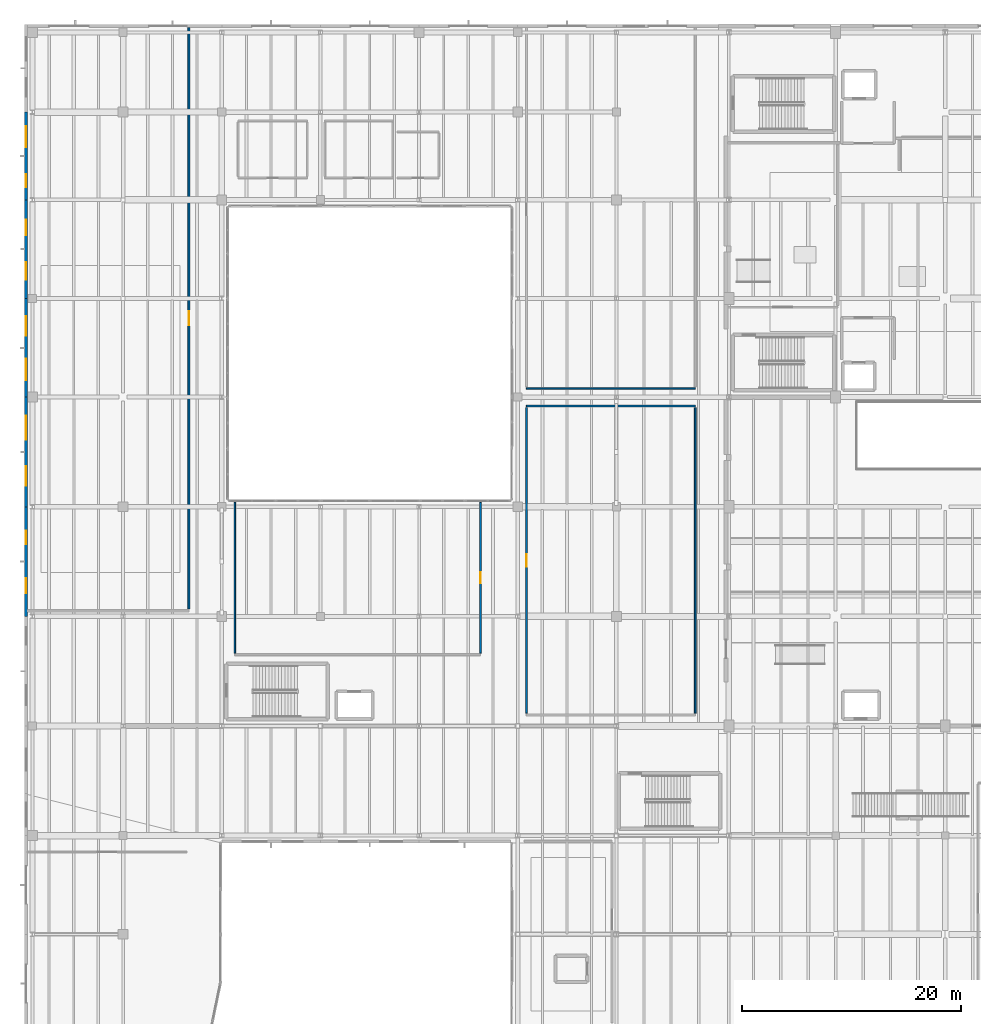
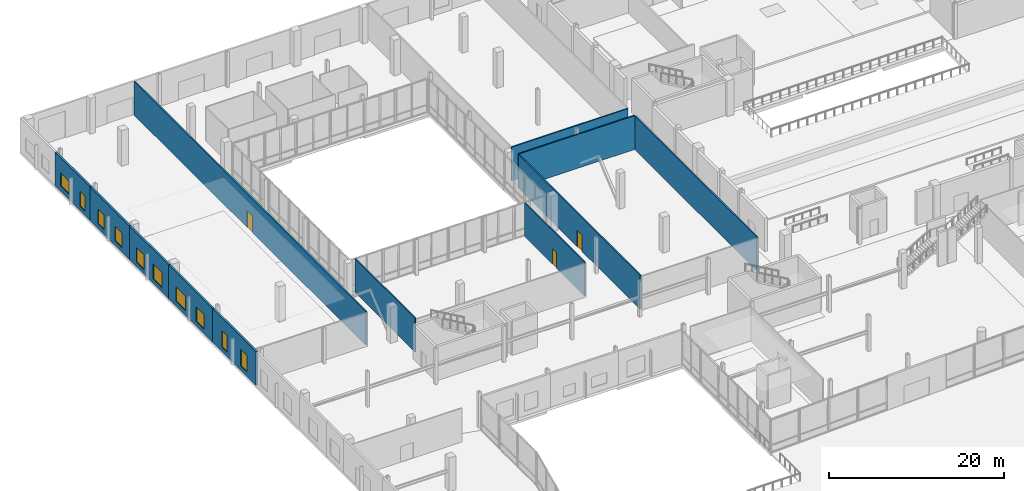
# One storey, part 70 of 88: 12 walls, 10 windows, 3 doors, 13 openings.
"""IFC4 building model written with IfcOpenShell, lengths in metres."""

from ifc_helpers import new_model, si_unit, direction, frame, frame_2d, origin, place, context, subcontext, project, spatial, rectangle, extrude, material, layer, layer_set, type_object, element, fill, save


model = new_model("IFC4")

# Units and contexts
model_context = context("Model", 3, precision=1e-05, world=origin(), true_north=direction((0.0, 1.0)))
body_context = subcontext(model_context, "Body", "Model", "MODEL_VIEW")
ifc_project = project(units=[si_unit("LENGTHUNIT", "METRE"), si_unit("AREAUNIT", "SQUARE_METRE"), si_unit("VOLUMEUNIT", "CUBIC_METRE"), si_unit("PLANEANGLEUNIT", "RADIAN"), si_unit("MASSUNIT", "GRAM", prefix="KILO")], contexts=[model_context])

# Site, building, storey
site_placement = place(None, origin())
site = spatial("IfcSite", under=ifc_project, at=site_placement, CompositionType="ELEMENT")
building_placement = place(site_placement, origin())
building = spatial("IfcBuilding", under=site, at=building_placement, Name="Trimount Lyric Opera House", CompositionType="ELEMENT")
storey_placement = place(building_placement, origin())
storey = spatial("IfcBuildingStorey", under=building, at=storey_placement, Name="L00", CompositionType="ELEMENT", Elevation=0.0)

# Wall
ifc_material_1 = material(Name="Fire-Rated Gypsum Board Partition")
ifc_layer_1 = layer(ifc_material_1, 0.14990234375)
ifc_layer_set_1 = layer_set([ifc_layer_1], Name="WL-PT150")
wall_type_1 = type_object("IfcWallType", Name="WL-PT150", PredefinedType="PARTITIONING", material=ifc_layer_set_1)
wall_1_placement = place(storey_placement, frame((19.199951171875, 74.39990234375, 0.0), z_axis=(0.0, 0.0, 1.0), x_axis=(0.0, -1.0, 0.0)))
element("IfcWall", 1, at=wall_1_placement, inside=storey, type_object=wall_type_1, Name="L00 Principal Soloist Dressing Suites W partition", PredefinedType="PARTITIONING", context=body_context, shape_type="SweptSolid", body=[
    extrude(rectangle(XDim=13.75, YDim=0.14990234375, at=frame_2d((6.875, 0.0))), origin(), (0.0, 0.0, 1.0), 4.719970703125),
])

# Wall, opening, door
wall_2_placement = place(storey_placement, frame((41.60009765625, 60.64990234375, 0.0), z_axis=(0.0, 0.0, 1.0), x_axis=(0.0, 1.0, 0.0)))
wall_2 = element("IfcWall", 2, at=wall_2_placement, inside=storey, type_object=wall_type_1, Name="L00 Principal Soloist Dressing Suites E partition", PredefinedType="PARTITIONING", context=body_context, shape_type="SweptSolid", body=[
    extrude(rectangle(XDim=13.75, YDim=0.14990234375, at=frame_2d((6.875, 0.0))), origin(), (0.0, 0.0, 1.0), 4.719970703125),
])
opening_1_placement = place(wall_2_placement, frame((6.375, 0.0, 0.0)))
opening_1 = element("IfcOpeningElement", 3, at=opening_1_placement, cuts=wall_2, Name="Opening DT-RM1", PredefinedType="OPENING", context=body_context, shape_type="SweptSolid", body=[
    extrude(rectangle(XDim=1.0, YDim=2.14990234375, at=frame_2d((0.5, 1.074951171875))), frame((0.0, 0.0849609375, 0.0), z_axis=(0.0, -1.0, 0.0), x_axis=(1.0, 0.0, 0.0)), (0.0, 0.0, 1.0), 0.169921875),
])
ifc_material_2 = material(Name="Solid Core White Oak")
door_type_1 = type_object("IfcDoorType", Name="DT-RM1", OperationType="NOTDEFINED", PredefinedType="DOOR", material=ifc_material_2)
door_1_placement = place(opening_1_placement, origin())
door_1 = element("IfcDoor", 4, at=door_1_placement, inside=storey, type_object=door_type_1, Name="D-184", OperationType="SINGLE_SWING_RIGHT", OverallHeight=2.14990234375, OverallWidth=1.0, PredefinedType="DOOR", context=body_context, shape_type="SweptSolid", body=[
    extrude(rectangle(XDim=1.0, YDim=2.14990234375, at=frame_2d((0.5, 1.074951171875))), frame((0.0, 0.02490234375, 0.0), z_axis=(0.0, -1.0, 0.0), x_axis=(1.0, 0.0, 0.0)), (0.0, 0.0, 1.0), 0.050048828125),
])
fill(opening_1, door_1)

# Walls
wall_3_placement = place(storey_placement, frame((45.800048828125, 84.800048828125, 0.0), z_axis=(0.0, 0.0, 1.0), x_axis=(1.0, 0.0, 0.0)))
element("IfcWall", 5, at=wall_3_placement, inside=storey, type_object=wall_type_1, Name="L00 Artists' Green Room & Warm-Up S partition", PredefinedType="PARTITIONING", context=body_context, shape_type="SweptSolid", body=[
    extrude(rectangle(XDim=15.39990234375, YDim=0.14990234375, at=frame_2d((7.699951171875, 0.0))), origin(), (0.0, 0.0, 1.0), 4.719970703125),
])
ifc_material_3 = material(Name="Acoustic Double-Stud Gypsum Board")
ifc_layer_2 = layer(ifc_material_3, 0.1650390625)
ifc_layer_set_2 = layer_set([ifc_layer_2], Name="WL-PT165")
wall_type_2 = type_object("IfcWallType", Name="WL-PT165", PredefinedType="PARTITIONING", material=ifc_layer_set_2)
wall_4_placement = place(storey_placement, frame((61.199951171875, 83.199951171875, 0.0), z_axis=(0.0, 0.0, 1.0), x_axis=(-1.0, 0.0, 0.0)))
element("IfcWall", 6, at=wall_4_placement, inside=storey, type_object=wall_type_2, Name="L00 Operetta & Ensemble Rehearsal Room N partition", PredefinedType="PARTITIONING", context=body_context, shape_type="SweptSolid", body=[
    extrude(rectangle(XDim=15.39990234375, YDim=0.1650390625, at=frame_2d((7.699951171875, 0.0))), origin(), (0.0, 0.0, 1.0), 4.719970703125),
])

# Wall, opening, door
wall_5_placement = place(storey_placement, frame((45.800048828125, 83.034912109375, 0.0), z_axis=(0.0, 0.0, 1.0), x_axis=(0.0, -1.0, 0.0)))
wall_5 = element("IfcWall", 7, at=wall_5_placement, inside=storey, type_object=wall_type_2, Name="L00 Operetta & Ensemble Rehearsal Room W partition", PredefinedType="PARTITIONING", context=body_context, shape_type="SweptSolid", body=[
    extrude(rectangle(XDim=27.869873046875, YDim=0.1650390625, at=frame_2d((13.93505859375, 0.0))), origin(), (0.0, 0.0, 1.0), 4.719970703125),
])
opening_2_placement = place(wall_5_placement, frame((13.375, 0.0, 0.0)))
opening_2 = element("IfcOpeningElement", 8, at=opening_2_placement, cuts=wall_5, Name="Opening DT-AC2", PredefinedType="OPENING", context=body_context, shape_type="SweptSolid", body=[
    extrude(rectangle(XDim=1.1201171875, YDim=2.25, at=frame_2d((0.56005859375, 1.125))), frame((0.0, 0.092529296875, 0.0), z_axis=(0.0, -1.0, 0.0), x_axis=(1.0, 0.0, 0.0)), (0.0, 0.0, 1.0), 0.18505859375),
])
ifc_material_4 = material(Name="Acoustic Steel-Core Timber", Category="steel")
door_type_2 = type_object("IfcDoorType", Name="DT-AC2", OperationType="NOTDEFINED", PredefinedType="DOOR", material=ifc_material_4)
door_2_placement = place(opening_2_placement, origin())
door_2 = element("IfcDoor", 9, at=door_2_placement, inside=storey, type_object=door_type_2, Name="D-185", OperationType="SINGLE_SWING_LEFT", OverallHeight=2.25, OverallWidth=1.1201171875, PredefinedType="DOOR", context=body_context, shape_type="SweptSolid", body=[
    extrude(rectangle(XDim=1.1201171875, YDim=2.25, at=frame_2d((0.56005859375, 1.125))), frame((0.0, 0.02490234375, 0.0), z_axis=(0.0, -1.0, 0.0), x_axis=(1.0, 0.0, 0.0)), (0.0, 0.0, 1.0), 0.050048828125),
])
fill(opening_2, door_2)

# Wall
wall_6_placement = place(storey_placement, frame((61.199951171875, 55.1650390625, 0.0), z_axis=(0.0, 0.0, 1.0), x_axis=(0.0, 1.0, 0.0)))
element("IfcWall", 10, at=wall_6_placement, inside=storey, type_object=wall_type_2, Name="L00 Operetta & Ensemble Rehearsal Room E partition", PredefinedType="PARTITIONING", context=body_context, shape_type="SweptSolid", body=[
    extrude(rectangle(XDim=27.869873046875, YDim=0.1650390625, at=frame_2d((13.93505859375, 0.0))), origin(), (0.0, 0.0, 1.0), 4.719970703125),
])

# Wall, opening, door
ifc_material_5 = material(Name="Acoustic Double-Stud Gypsum Board")
ifc_layer_3 = layer(ifc_material_5, 0.179931640625)
ifc_layer_set_3 = layer_set([ifc_layer_3], Name="WL-PT180")
wall_type_3 = type_object("IfcWallType", Name="WL-PT180", PredefinedType="PARTITIONING", material=ifc_layer_set_3)
wall_7_placement = place(storey_placement, frame((15.0, 64.679931640625, 0.0), z_axis=(0.0, 0.0, 1.0), x_axis=(0.0, 1.0, 0.0)))
wall_7 = element("IfcWall", 11, at=wall_7_placement, inside=storey, type_object=wall_type_3, Name="L00 Orchestra Rehearsal Hall E partition", PredefinedType="PARTITIONING", context=body_context, shape_type="SweptSolid", body=[
    extrude(rectangle(XDim=53.0400390625, YDim=0.179931640625, at=frame_2d((26.52001953125, 0.0))), origin(), (0.0, 0.0, 1.0), 4.719970703125),
])
opening_3_placement = place(wall_7_placement, frame((25.8701171875, 0.0, 0.0)))
opening_3 = element("IfcOpeningElement", 12, at=opening_3_placement, cuts=wall_7, Name="Opening DT-AC1", PredefinedType="OPENING", context=body_context, shape_type="SweptSolid", body=[
    extrude(rectangle(XDim=1.300048828125, YDim=2.35009765625, at=frame_2d((0.64990234375, 1.175048828125))), frame((0.0, 0.10009765625, 0.0), z_axis=(0.0, -1.0, 0.0), x_axis=(1.0, 0.0, 0.0)), (0.0, 0.0, 1.0), 0.199951171875),
])
ifc_material_6 = material(Name="Acoustic Steel-Core Timber", Category="steel")
door_type_3 = type_object("IfcDoorType", Name="DT-AC1", OperationType="NOTDEFINED", PredefinedType="DOOR", material=ifc_material_6)
door_3_placement = place(opening_3_placement, origin())
door_3 = element("IfcDoor", 13, at=door_3_placement, inside=storey, type_object=door_type_3, Name="D-183", OperationType="SINGLE_SWING_LEFT", OverallHeight=2.35009765625, OverallWidth=1.300048828125, PredefinedType="DOOR", context=body_context, shape_type="SweptSolid", body=[
    extrude(rectangle(XDim=1.300048828125, YDim=2.35009765625, at=frame_2d((0.64990234375, 1.175048828125))), frame((0.0, 0.02490234375, 0.0), z_axis=(0.0, -1.0, 0.0), x_axis=(1.0, 0.0, 0.0)), (0.0, 0.0, 1.0), 0.050048828125),
])
fill(opening_3, door_3)

# Wall, openings, windows
ifc_material_7 = material(Name="Concrete C35/45", Category="concrete")
ifc_layer_4 = layer(ifc_material_7, 0.25)
ifc_layer_set_4 = layer_set([ifc_layer_4], Name="WL-SW250")
wall_type_4 = type_object("IfcWallType", Name="WL-SW250", PredefinedType="SOLIDWALL", material=ifc_layer_set_4)
wall_8_placement = place(storey_placement, frame((0.139892578125, 64.0, 0.0), z_axis=(0.0, 0.0, 1.0), x_axis=(0.0, 1.0, 0.0)))
wall_8 = element("IfcWall", 14, at=wall_8_placement, inside=storey, type_object=wall_type_4, Name="L00 exterior facade wall 100", PredefinedType="SOLIDWALL", context=body_context, shape_type="SweptSolid", body=[
    extrude(rectangle(XDim=10.0, YDim=0.25, at=frame_2d((5.0, 0.0))), origin(), (0.0, 0.0, 1.0), 4.719970703125),
])
opening_4_placement = place(wall_8_placement, frame((2.10009765625, 0.0, 0.64990234375)))
opening_4 = element("IfcOpeningElement", 15, at=opening_4_placement, cuts=wall_8, Name="Opening WT-06", PredefinedType="OPENING", context=body_context, shape_type="SweptSolid", body=[
    extrude(rectangle(XDim=1.39990234375, YDim=2.300048828125, at=frame_2d((0.699951171875, 1.14990234375))), frame((0.0, 0.135009765625, 0.0), z_axis=(0.0, -1.0, 0.0), x_axis=(1.0, 0.0, 0.0)), (0.0, 0.0, 1.0), 0.27001953125),
])
opening_5_placement = place(wall_8_placement, frame((6.60009765625, 0.0, 0.64990234375)))
opening_5 = element("IfcOpeningElement", 16, at=opening_5_placement, cuts=wall_8, Name="Opening WT-07", PredefinedType="OPENING", context=body_context, shape_type="SweptSolid", body=[
    extrude(rectangle(XDim=1.199951171875, YDim=2.300048828125, at=frame_2d((0.60009765625, 1.14990234375))), frame((0.0, 0.135009765625, 0.0), z_axis=(0.0, -1.0, 0.0), x_axis=(1.0, 0.0, 0.0)), (0.0, 0.0, 1.0), 0.27001953125),
])
ifc_material_8 = material(Name="Triple Acoustic Glazing in Aluminium Frame", Category="aluminium")
window_type_1 = type_object("IfcWindowType", Name="WT-06", PartitioningType="SINGLE_PANEL", PredefinedType="WINDOW", material=ifc_material_8)
window_1_placement = place(opening_4_placement, origin())
window_1 = element("IfcWindow", 17, at=window_1_placement, inside=storey, type_object=window_type_1, Name="Window WT-06-0006", OverallHeight=2.300048828125, OverallWidth=1.39990234375, PartitioningType="SINGLE_PANEL", PredefinedType="WINDOW", context=body_context, shape_type="SweptSolid", body=[
    extrude(rectangle(XDim=1.39990234375, YDim=2.300048828125, at=frame_2d((0.699951171875, 1.14990234375))), frame((0.0, 0.030029296875, 0.0), z_axis=(0.0, -1.0, 0.0), x_axis=(1.0, 0.0, 0.0)), (0.0, 0.0, 1.0), 0.06005859375),
])
fill(opening_4, window_1)
ifc_material_9 = material(Name="Triple Acoustic Glazing in Aluminium Frame", Category="aluminium")
window_type_2 = type_object("IfcWindowType", Name="WT-07", PartitioningType="SINGLE_PANEL", PredefinedType="WINDOW", material=ifc_material_9)
window_2_placement = place(opening_5_placement, origin())
window_2 = element("IfcWindow", 18, at=window_2_placement, inside=storey, type_object=window_type_2, Name="Window WT-07-0007", OverallHeight=2.300048828125, OverallWidth=1.199951171875, PartitioningType="SINGLE_PANEL", PredefinedType="WINDOW", context=body_context, shape_type="SweptSolid", body=[
    extrude(rectangle(XDim=1.199951171875, YDim=2.300048828125, at=frame_2d((0.60009765625, 1.14990234375))), frame((0.0, 0.030029296875, 0.0), z_axis=(0.0, -1.0, 0.0), x_axis=(1.0, 0.0, 0.0)), (0.0, 0.0, 1.0), 0.06005859375),
])
fill(opening_5, window_2)

wall_9_placement = place(storey_placement, frame((0.139892578125, 74.0, 0.0), z_axis=(0.0, 0.0, 1.0), x_axis=(0.0, 1.0, 0.0)))
wall_9 = element("IfcWall", 19, at=wall_9_placement, inside=storey, type_object=wall_type_4, Name="L00 exterior facade wall 101", PredefinedType="SOLIDWALL", context=body_context, shape_type="SweptSolid", body=[
    extrude(rectangle(XDim=10.0, YDim=0.25, at=frame_2d((5.0, 0.0))), origin(), (0.0, 0.0, 1.0), 4.719970703125),
])
opening_6_placement = place(wall_9_placement, frame((1.89990234375, 0.0, 0.64990234375)))
opening_6 = element("IfcOpeningElement", 20, at=opening_6_placement, cuts=wall_9, Name="Opening WT-11", PredefinedType="OPENING", context=body_context, shape_type="SweptSolid", body=[
    extrude(rectangle(XDim=1.800048828125, YDim=2.050048828125, at=frame_2d((0.89990234375, 1.02490234375))), frame((0.0, 0.135009765625, 0.0), z_axis=(0.0, -1.0, 0.0), x_axis=(1.0, 0.0, 0.0)), (0.0, 0.0, 1.0), 0.27001953125),
])
opening_7_placement = place(wall_9_placement, frame((6.10009765625, 0.0, 0.64990234375)))
opening_7 = element("IfcOpeningElement", 21, at=opening_7_placement, cuts=wall_9, Name="Opening WT-09", PredefinedType="OPENING", context=body_context, shape_type="SweptSolid", body=[
    extrude(rectangle(XDim=2.199951171875, YDim=2.050048828125, at=frame_2d((1.10009765625, 1.02490234375))), frame((0.0, 0.135009765625, 0.0), z_axis=(0.0, -1.0, 0.0), x_axis=(1.0, 0.0, 0.0)), (0.0, 0.0, 1.0), 0.27001953125),
])
ifc_material_10 = material(Name="Low-E Insulated Glazing in Bronze Frame", Category="glass")
window_type_3 = type_object("IfcWindowType", Name="WT-09", PartitioningType="DOUBLE_PANEL_VERTICAL", PredefinedType="WINDOW", material=ifc_material_10)
window_3_placement = place(opening_7_placement, origin())
window_3 = element("IfcWindow", 22, at=window_3_placement, inside=storey, type_object=window_type_3, Name="Window WT-09-0009", OverallHeight=2.050048828125, OverallWidth=2.199951171875, PartitioningType="SINGLE_PANEL", PredefinedType="WINDOW", context=body_context, shape_type="SweptSolid", body=[
    extrude(rectangle(XDim=2.199951171875, YDim=2.050048828125, at=frame_2d((1.10009765625, 1.02490234375))), frame((0.0, 0.030029296875, 0.0), z_axis=(0.0, -1.0, 0.0), x_axis=(1.0, 0.0, 0.0)), (0.0, 0.0, 1.0), 0.06005859375),
])
fill(opening_7, window_3)
ifc_material_11 = material(Name="Low-E Insulated Glazing in Bronze Frame", Category="glass")
window_type_4 = type_object("IfcWindowType", Name="WT-11", PartitioningType="DOUBLE_PANEL_VERTICAL", PredefinedType="WINDOW", material=ifc_material_11)
window_4_placement = place(opening_6_placement, origin())
window_4 = element("IfcWindow", 23, at=window_4_placement, inside=storey, type_object=window_type_4, Name="Window WT-11-0008", OverallHeight=2.050048828125, OverallWidth=1.800048828125, PartitioningType="SINGLE_PANEL", PredefinedType="WINDOW", context=body_context, shape_type="SweptSolid", body=[
    extrude(rectangle(XDim=1.800048828125, YDim=2.050048828125, at=frame_2d((0.89990234375, 1.02490234375))), frame((0.0, 0.030029296875, 0.0), z_axis=(0.0, -1.0, 0.0), x_axis=(1.0, 0.0, 0.0)), (0.0, 0.0, 1.0), 0.06005859375),
])
fill(opening_6, window_4)

wall_10_placement = place(storey_placement, frame((0.139892578125, 84.0, 0.0), z_axis=(0.0, 0.0, 1.0), x_axis=(0.0, 1.0, 0.0)))
wall_10 = element("IfcWall", 24, at=wall_10_placement, inside=storey, type_object=wall_type_4, Name="L00 exterior facade wall 102", PredefinedType="SOLIDWALL", context=body_context, shape_type="SweptSolid", body=[
    extrude(rectangle(XDim=9.0, YDim=0.25, at=frame_2d((4.5, 0.0))), origin(), (0.0, 0.0, 1.0), 4.719970703125),
])
opening_8_placement = place(wall_10_placement, frame((1.52001953125, 0.0, 0.64990234375)))
opening_8 = element("IfcOpeningElement", 25, at=opening_8_placement, cuts=wall_10, Name="Opening WT-10", PredefinedType="OPENING", context=body_context, shape_type="SweptSolid", body=[
    extrude(rectangle(XDim=2.0, YDim=2.050048828125, at=frame_2d((1.0, 1.02490234375))), frame((0.0, 0.135009765625, 0.0), z_axis=(0.0, -1.0, 0.0), x_axis=(1.0, 0.0, 0.0)), (0.0, 0.0, 1.0), 0.27001953125),
])
opening_9_placement = place(wall_10_placement, frame((5.580078125, 0.0, 0.64990234375)))
opening_9 = element("IfcOpeningElement", 26, at=opening_9_placement, cuts=wall_10, Name="Opening WT-11", PredefinedType="OPENING", context=body_context, shape_type="SweptSolid", body=[
    extrude(rectangle(XDim=1.800048828125, YDim=2.050048828125, at=frame_2d((0.89990234375, 1.02490234375))), frame((0.0, 0.135009765625, 0.0), z_axis=(0.0, -1.0, 0.0), x_axis=(1.0, 0.0, 0.0)), (0.0, 0.0, 1.0), 0.27001953125),
])
ifc_material_12 = material(Name="Low-E Insulated Glazing in Bronze Frame", Category="glass")
window_type_5 = type_object("IfcWindowType", Name="WT-10", PartitioningType="DOUBLE_PANEL_VERTICAL", PredefinedType="WINDOW", material=ifc_material_12)
window_5_placement = place(opening_8_placement, origin())
window_5 = element("IfcWindow", 27, at=window_5_placement, inside=storey, type_object=window_type_5, Name="Window WT-10-0010", OverallHeight=2.050048828125, OverallWidth=2.0, PartitioningType="SINGLE_PANEL", PredefinedType="WINDOW", context=body_context, shape_type="SweptSolid", body=[
    extrude(rectangle(XDim=2.0, YDim=2.050048828125, at=frame_2d((1.0, 1.02490234375))), frame((0.0, 0.030029296875, 0.0), z_axis=(0.0, -1.0, 0.0), x_axis=(1.0, 0.0, 0.0)), (0.0, 0.0, 1.0), 0.06005859375),
])
fill(opening_8, window_5)
window_6_placement = place(opening_9_placement, origin())
window_6 = element("IfcWindow", 28, at=window_6_placement, inside=storey, type_object=window_type_4, Name="Window WT-11-0011", OverallHeight=2.050048828125, OverallWidth=1.800048828125, PartitioningType="SINGLE_PANEL", PredefinedType="WINDOW", context=body_context, shape_type="SweptSolid", body=[
    extrude(rectangle(XDim=1.800048828125, YDim=2.050048828125, at=frame_2d((0.89990234375, 1.02490234375))), frame((0.0, 0.030029296875, 0.0), z_axis=(0.0, -1.0, 0.0), x_axis=(1.0, 0.0, 0.0)), (0.0, 0.0, 1.0), 0.06005859375),
])
fill(opening_9, window_6)

wall_11_placement = place(storey_placement, frame((0.139892578125, 93.0, 0.0), z_axis=(0.0, 0.0, 1.0), x_axis=(0.0, 1.0, 0.0)))
wall_11 = element("IfcWall", 29, at=wall_11_placement, inside=storey, type_object=wall_type_4, Name="L00 exterior facade wall 103", PredefinedType="SOLIDWALL", context=body_context, shape_type="SweptSolid", body=[
    extrude(rectangle(XDim=9.0, YDim=0.25, at=frame_2d((4.5, 0.0))), origin(), (0.0, 0.0, 1.0), 4.719970703125),
])
opening_10_placement = place(wall_11_placement, frame((1.719970703125, 0.0, 0.64990234375)))
opening_10 = element("IfcOpeningElement", 30, at=opening_10_placement, cuts=wall_11, Name="Opening WT-12", PredefinedType="OPENING", context=body_context, shape_type="SweptSolid", body=[
    extrude(rectangle(XDim=1.60009765625, YDim=2.050048828125, at=frame_2d((0.800048828125, 1.02490234375))), frame((0.0, 0.135009765625, 0.0), z_axis=(0.0, -1.0, 0.0), x_axis=(1.0, 0.0, 0.0)), (0.0, 0.0, 1.0), 0.27001953125),
])
opening_11_placement = place(wall_11_placement, frame((5.780029296875, 0.0, 0.64990234375)))
opening_11 = element("IfcOpeningElement", 31, at=opening_11_placement, cuts=wall_11, Name="Opening WT-13", PredefinedType="OPENING", context=body_context, shape_type="SweptSolid", body=[
    extrude(rectangle(XDim=1.39990234375, YDim=2.050048828125, at=frame_2d((0.699951171875, 1.02490234375))), frame((0.0, 0.135009765625, 0.0), z_axis=(0.0, -1.0, 0.0), x_axis=(1.0, 0.0, 0.0)), (0.0, 0.0, 1.0), 0.27001953125),
])
ifc_material_13 = material(Name="Low-E Insulated Glazing in Bronze Frame", Category="glass")
window_type_6 = type_object("IfcWindowType", Name="WT-12", PartitioningType="SINGLE_PANEL", PredefinedType="WINDOW", material=ifc_material_13)
window_7_placement = place(opening_10_placement, origin())
window_7 = element("IfcWindow", 32, at=window_7_placement, inside=storey, type_object=window_type_6, Name="Window WT-12-0012", OverallHeight=2.050048828125, OverallWidth=1.60009765625, PartitioningType="SINGLE_PANEL", PredefinedType="WINDOW", context=body_context, shape_type="SweptSolid", body=[
    extrude(rectangle(XDim=1.60009765625, YDim=2.050048828125, at=frame_2d((0.800048828125, 1.02490234375))), frame((0.0, 0.030029296875, 0.0), z_axis=(0.0, -1.0, 0.0), x_axis=(1.0, 0.0, 0.0)), (0.0, 0.0, 1.0), 0.06005859375),
])
fill(opening_10, window_7)
ifc_material_14 = material(Name="Low-E Insulated Glazing in Bronze Frame", Category="glass")
window_type_7 = type_object("IfcWindowType", Name="WT-13", PartitioningType="SINGLE_PANEL", PredefinedType="WINDOW", material=ifc_material_14)
window_8_placement = place(opening_11_placement, origin())
window_8 = element("IfcWindow", 33, at=window_8_placement, inside=storey, type_object=window_type_7, Name="Window WT-13-0013", OverallHeight=2.050048828125, OverallWidth=1.39990234375, PartitioningType="SINGLE_PANEL", PredefinedType="WINDOW", context=body_context, shape_type="SweptSolid", body=[
    extrude(rectangle(XDim=1.39990234375, YDim=2.050048828125, at=frame_2d((0.699951171875, 1.02490234375))), frame((0.0, 0.030029296875, 0.0), z_axis=(0.0, -1.0, 0.0), x_axis=(1.0, 0.0, 0.0)), (0.0, 0.0, 1.0), 0.06005859375),
])
fill(opening_11, window_8)

wall_12_placement = place(storey_placement, frame((0.139892578125, 102.0, 0.0), z_axis=(0.0, 0.0, 1.0), x_axis=(0.0, 1.0, 0.0)))
wall_12 = element("IfcWall", 34, at=wall_12_placement, inside=storey, type_object=wall_type_4, Name="L00 exterior facade wall 104", PredefinedType="SOLIDWALL", context=body_context, shape_type="SweptSolid", body=[
    extrude(rectangle(XDim=8.0, YDim=0.25, at=frame_2d((4.0, 0.0))), origin(), (0.0, 0.0, 1.0), 4.719970703125),
])
opening_12_placement = place(wall_12_placement, frame((1.139892578125, 0.0, 0.64990234375)))
opening_12 = element("IfcOpeningElement", 35, at=opening_12_placement, cuts=wall_12, Name="Opening WT-14", PredefinedType="OPENING", context=body_context, shape_type="SweptSolid", body=[
    extrude(rectangle(XDim=1.199951171875, YDim=2.050048828125, at=frame_2d((0.60009765625, 1.02490234375))), frame((0.0, 0.135009765625, 0.0), z_axis=(0.0, -1.0, 0.0), x_axis=(1.0, 0.0, 0.0)), (0.0, 0.0, 1.0), 0.27001953125),
])
opening_13_placement = place(wall_12_placement, frame((4.81005859375, 0.0, 0.800048828125)))
opening_13 = element("IfcOpeningElement", 36, at=opening_13_placement, cuts=wall_12, Name="Opening WT-18", PredefinedType="OPENING", context=body_context, shape_type="SweptSolid", body=[
    extrude(rectangle(XDim=1.89990234375, YDim=1.800048828125, at=frame_2d((0.949951171875, 0.89990234375))), frame((0.0, 0.135009765625, 0.0), z_axis=(0.0, -1.0, 0.0), x_axis=(1.0, 0.0, 0.0)), (0.0, 0.0, 1.0), 0.27001953125),
])
ifc_material_15 = material(Name="Low-E Insulated Glazing in Bronze Frame", Category="glass")
window_type_8 = type_object("IfcWindowType", Name="WT-14", PartitioningType="SINGLE_PANEL", PredefinedType="WINDOW", material=ifc_material_15)
window_9_placement = place(opening_12_placement, origin())
window_9 = element("IfcWindow", 37, at=window_9_placement, inside=storey, type_object=window_type_8, Name="Window WT-14-0014", OverallHeight=2.050048828125, OverallWidth=1.199951171875, PartitioningType="SINGLE_PANEL", PredefinedType="WINDOW", context=body_context, shape_type="SweptSolid", body=[
    extrude(rectangle(XDim=1.199951171875, YDim=2.050048828125, at=frame_2d((0.60009765625, 1.02490234375))), frame((0.0, 0.030029296875, 0.0), z_axis=(0.0, -1.0, 0.0), x_axis=(1.0, 0.0, 0.0)), (0.0, 0.0, 1.0), 0.06005859375),
])
fill(opening_12, window_9)
ifc_material_16 = material(Name="Dressing Suite Acoustic Window")
window_type_9 = type_object("IfcWindowType", Name="WT-18", PartitioningType="DOUBLE_PANEL_VERTICAL", PredefinedType="WINDOW", material=ifc_material_16)
window_10_placement = place(opening_13_placement, origin())
window_10 = element("IfcWindow", 38, at=window_10_placement, inside=storey, type_object=window_type_9, Name="Window WT-18-0015", OverallHeight=1.800048828125, OverallWidth=1.89990234375, PartitioningType="SINGLE_PANEL", PredefinedType="WINDOW", context=body_context, shape_type="SweptSolid", body=[
    extrude(rectangle(XDim=1.89990234375, YDim=1.800048828125, at=frame_2d((0.949951171875, 0.89990234375))), frame((0.0, 0.030029296875, 0.0), z_axis=(0.0, -1.0, 0.0), x_axis=(1.0, 0.0, 0.0)), (0.0, 0.0, 1.0), 0.06005859375),
])
fill(opening_13, window_10)

save(model, "model.ifc")
